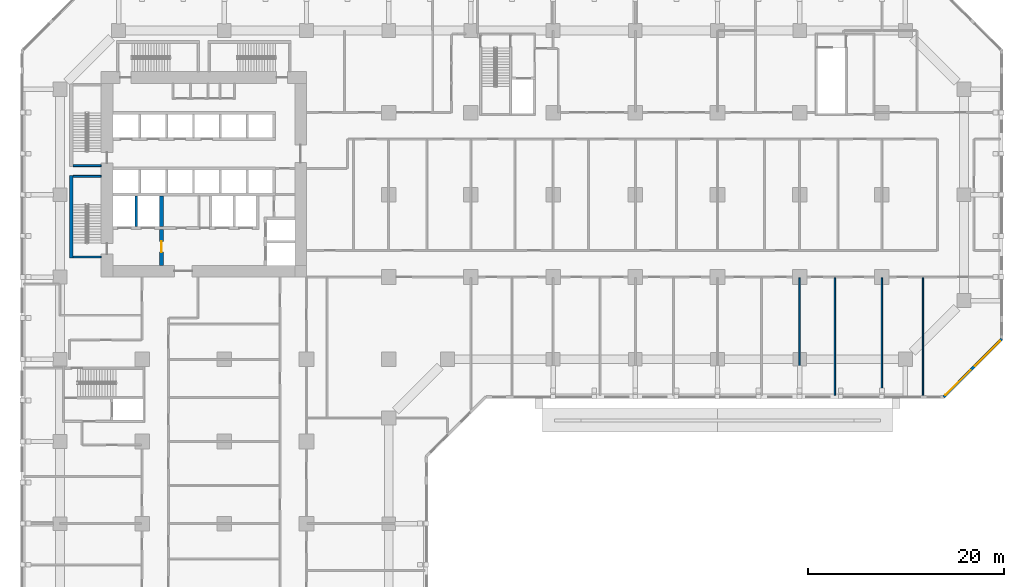
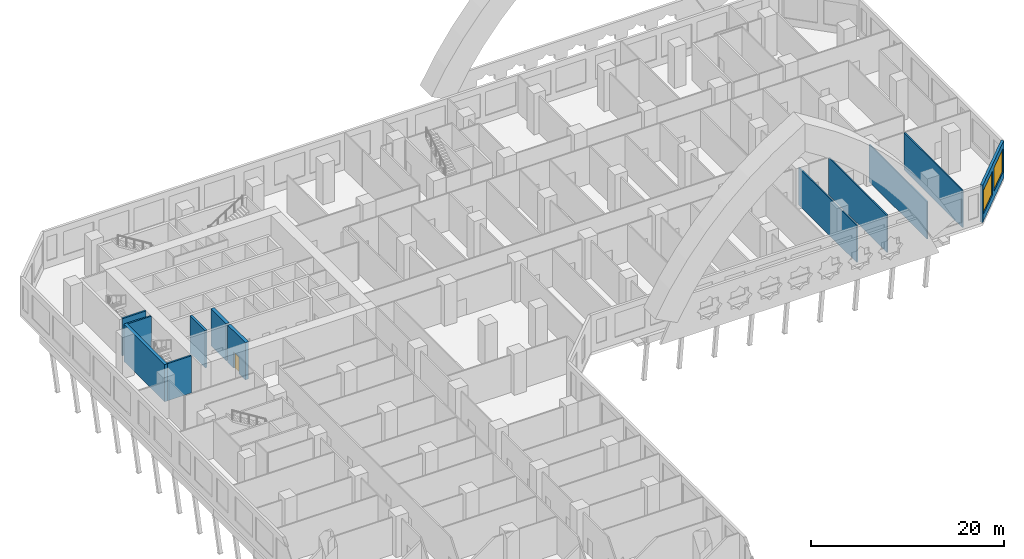
# One storey, part 10 of 25: 12 walls, 2 windows, 1 door, 3 openings.
"""IFC4 building model written with IfcOpenShell, lengths in metres."""

from ifc_helpers import new_model, si_unit, direction, frame, frame_2d, origin, place, context, subcontext, project, spatial, rectangle, extrude, material, layer, layer_set, type_object, element, fill, save


model = new_model("IFC4")

# Units and contexts
model_context = context("Model", 3, precision=1e-05, world=origin(), true_north=direction((0.0, 1.0)))
body_context = subcontext(model_context, "Body", "Model", "MODEL_VIEW")
ifc_project = project(units=[si_unit("LENGTHUNIT", "METRE"), si_unit("AREAUNIT", "SQUARE_METRE"), si_unit("VOLUMEUNIT", "CUBIC_METRE"), si_unit("PLANEANGLEUNIT", "RADIAN"), si_unit("MASSUNIT", "GRAM", prefix="KILO")], contexts=[model_context])

# Site, building, storey
site_placement = place(None, origin())
site = spatial("IfcSite", under=ifc_project, at=site_placement, CompositionType="ELEMENT")
building_placement = place(site_placement, origin())
building = spatial("IfcBuilding", under=site, at=building_placement, Name="Kawkab Arch Medical Tower", CompositionType="ELEMENT")
storey_placement = place(building_placement, frame((0.0, 0.0, 29.0)))
storey = spatial("IfcBuildingStorey", under=building, at=storey_placement, Name="L06", CompositionType="ELEMENT", Elevation=29.0)

# Wall
ifc_material_1 = material(Name="Concrete C60/75", Category="concrete")
ifc_layer_1 = layer(ifc_material_1, 0.25)
ifc_layer_set_1 = layer_set([ifc_layer_1], Name="Concrete C60/75")
wall_type_1 = type_object("IfcWallType", Name="Core shear wall 250 C60/75", PredefinedType="SHEAR", material=ifc_layer_set_1)
wall_1_placement = place(storey_placement, frame((7.800048828125, -20.050048828125, 0.0), z_axis=(0.0, 0.0, 1.0), x_axis=(0.0, 1.0, 0.0)))
element("IfcWall", 1, at=wall_1_placement, inside=storey, type_object=wall_type_1, Name="L06 core shear wall", PredefinedType="SHEAR", context=body_context, shape_type="SweptSolid", body=[
    extrude(rectangle(XDim=3.150146484375, YDim=0.25, at=frame_2d((1.5751953125, 0.0))), origin(), (0.0, 0.0, 1.0), 4.699951171875),
])

# Wall, opening, door
ifc_material_2 = material(Name="Concrete C60/75", Category="concrete")
ifc_layer_2 = layer(ifc_material_2, 0.39990234375)
ifc_layer_set_2 = layer_set([ifc_layer_2], Name="Concrete C60/75")
wall_type_2 = type_object("IfcWallType", Name="Core shear wall 400 C60/75", PredefinedType="SHEAR", material=ifc_layer_set_2)
wall_2_placement = place(storey_placement, frame((10.39990234375, -24.0, 0.0), z_axis=(0.0, 0.0, 1.0), x_axis=(0.0, 1.0, 0.0)))
wall_2 = element("IfcWall", 2, at=wall_2_placement, inside=storey, type_object=wall_type_2, Name="L06 core shear wall", PredefinedType="SHEAR", context=body_context, shape_type="SweptSolid", body=[
    extrude(rectangle(XDim=3.64990234375, YDim=0.39990234375, at=frame_2d((1.824951171875, 0.0))), origin(), (0.0, 0.0, 1.0), 4.699951171875),
])
opening_1_placement = place(wall_2_placement, frame((1.35009765625, 0.0, 0.0)))
opening_1 = element("IfcOpeningElement", 3, at=opening_1_placement, cuts=wall_2, Name="Opening FD", PredefinedType="OPENING", context=body_context, shape_type="SweptSolid", body=[
    extrude(rectangle(XDim=1.10009765625, YDim=2.10009765625, at=frame_2d((0.550048828125, 1.050048828125))), frame((0.0, 0.2099609375, 0.0), z_axis=(0.0, -1.0, 0.0), x_axis=(1.0, 0.0, 0.0)), (0.0, 0.0, 1.0), 0.419921875),
])
ifc_material_3 = material(Name="Hollow metal fire door leaf")
door_type = type_object("IfcDoorType", Name="Firefighting lobby door 1100", OperationType="SINGLE_SWING_LEFT", PredefinedType="DOOR", material=ifc_material_3)
door_placement = place(opening_1_placement, origin())
door = element("IfcDoor", 4, at=door_placement, inside=storey, type_object=door_type, Name="L06 Firefighting lobby door", OperationType="SINGLE_SWING_LEFT", OverallHeight=2.10009765625, OverallWidth=1.10009765625, PredefinedType="DOOR", context=body_context, shape_type="SweptSolid", body=[
    extrude(rectangle(XDim=1.10009765625, YDim=2.10009765625, at=frame_2d((0.550048828125, 1.050048828125))), frame((0.0, 0.02490234375, 0.0), z_axis=(0.0, -1.0, 0.0), x_axis=(1.0, 0.0, 0.0)), (0.0, 0.0, 1.0), 0.050048828125),
])
fill(opening_1, door)

# Walls
wall_3_placement = place(storey_placement, frame((10.39990234375, -20.050048828125, 0.0), z_axis=(0.0, 0.0, 1.0), x_axis=(0.0, 1.0, 0.0)))
element("IfcWall", 5, at=wall_3_placement, inside=storey, type_object=wall_type_2, Name="L06 core shear wall", PredefinedType="SHEAR", context=body_context, shape_type="SweptSolid", body=[
    extrude(rectangle(XDim=3.150146484375, YDim=0.39990234375, at=frame_2d((1.5751953125, 0.0))), origin(), (0.0, 0.0, 1.0), 4.699951171875),
])
ifc_material_4 = material(Name="Gypsum board partition on steel studs, mineral wool", Category="steel")
ifc_layer_3 = layer(ifc_material_4, 0.14990234375)
ifc_layer_set_3 = layer_set([ifc_layer_3], Name="Gypsum board partition on steel studs, mineral wool")
wall_type_3 = type_object("IfcWallType", Name="Partition 150", PredefinedType="PARTITIONING", material=ifc_layer_set_3)
for number, where, z_axis, x_axis, name in (
    (6, (75.60009765625, -37.280029296875, 0.0), (0.0, 0.0, 1.0), (0.0, 1.0, 0.0), "Partition 150 w108"),
    (7, (79.199951171875, -37.280029296875, 0.0), (0.0, 0.0, 1.0), (0.0, 1.0, 0.0), "Partition 150 w110"),
    (8, (84.0, -37.280029296875, 0.0), (0.0, 0.0, 1.0), (0.0, 1.0, 0.0), "Partition 150 w113"),
    (9, (88.199951171875, -37.280029296875, 0.0), (0.0, 0.0, 1.0), (0.0, 1.0, 0.0), "Partition 150 w117"),
):
    element("IfcWall", number, at=place(storey_placement, frame(where, z_axis=z_axis, x_axis=x_axis)), inside=storey, type_object=wall_type_3, Name=name, PredefinedType="PARTITIONING", context=body_context, shape_type="SweptSolid", body=[
        extrude(rectangle(XDim=12.005126953125, YDim=0.14990234375, at=frame_2d((6.00244140625, 0.0))), origin(), (0.0, 0.0, 1.0), 4.699951171875),
    ])

# Wall, openings, windows
ifc_material_5 = material(Name="Bronze clad insulated wall panel")
ifc_layer_4 = layer(ifc_material_5, 0.300048828125)
ifc_layer_set_4 = layer_set([ifc_layer_4], Name="Bronze clad insulated wall panel")
wall_type_4 = type_object("IfcWallType", Name="Podium external wall 300", PredefinedType="SOLIDWALL", material=ifc_layer_set_4)
wall_4_placement = place(storey_placement, frame((90.337890625, -37.449951171875, 0.0), z_axis=(0.0, 0.0, 1.0), x_axis=(0.707106781187, 0.707106781187, 0.0)))
wall_4 = element("IfcWall", 10, at=wall_4_placement, inside=storey, type_object=wall_type_4, Name="Podium external wall L06 R08", PredefinedType="SOLIDWALL", context=body_context, shape_type="SweptSolid", body=[
    extrude(rectangle(XDim=8.361083984375, YDim=0.300048828125, at=frame_2d((4.1806640625, 0.0))), origin(), (0.0, 0.0, 1.0), 4.699951171875),
])
opening_2_placement = place(wall_4_placement, frame((0.259033203125, 0.0, 0.89990234375)))
opening_2 = element("IfcOpeningElement", 11, at=opening_2_placement, cuts=wall_4, Name="Opening PBW360-30-S9", PredefinedType="OPENING", context=body_context, shape_type="SweptSolid", body=[
    extrude(rectangle(XDim=3.60009765625, YDim=3.0, at=frame_2d((1.800048828125, 1.5))), frame((0.0, 0.159912109375, 0.0), z_axis=(0.0, -1.0, 0.0), x_axis=(1.0, 0.0, 0.0)), (0.0, 0.0, 1.0), 0.320068359375),
])
opening_3_placement = place(wall_4_placement, frame((4.501708984375, 0.0, 0.89990234375)))
opening_3 = element("IfcOpeningElement", 12, at=opening_3_placement, cuts=wall_4, Name="Opening PBW360-30-S9", PredefinedType="OPENING", context=body_context, shape_type="SweptSolid", body=[
    extrude(rectangle(XDim=3.60009765625, YDim=3.0, at=frame_2d((1.800048828125, 1.5))), frame((0.0, 0.159912109375, 0.0), z_axis=(0.0, -1.0, 0.0), x_axis=(1.0, 0.0, 0.0)), (0.0, 0.0, 1.0), 0.320068359375),
])
ifc_material_6 = material(Name="Bronze anodised aluminium louvred window", Category="aluminium")
window_type = type_object("IfcWindowType", Name="Podium band window 3600 x 3000 sill 900", PartitioningType="DOUBLE_PANEL_VERTICAL", PredefinedType="WINDOW", material=ifc_material_6)
window_1_placement = place(opening_2_placement, origin())
window_1 = element("IfcWindow", 13, at=window_1_placement, inside=storey, type_object=window_type, Name="Band window L06 R08.1", OverallHeight=3.0, OverallWidth=3.60009765625, PartitioningType="SINGLE_PANEL", PredefinedType="WINDOW", context=body_context, shape_type="SweptSolid", body=[
    extrude(rectangle(XDim=3.60009765625, YDim=3.0, at=frame_2d((1.800048828125, 1.5))), frame((0.0, 0.030029296875, 0.0), z_axis=(0.0, -1.0, 0.0), x_axis=(1.0, 0.0, 0.0)), (0.0, 0.0, 1.0), 0.06005859375),
])
fill(opening_2, window_1)
window_2_placement = place(opening_3_placement, origin())
window_2 = element("IfcWindow", 14, at=window_2_placement, inside=storey, type_object=window_type, Name="Band window L06 R08.2", OverallHeight=3.0, OverallWidth=3.60009765625, PartitioningType="SINGLE_PANEL", PredefinedType="WINDOW", context=body_context, shape_type="SweptSolid", body=[
    extrude(rectangle(XDim=3.60009765625, YDim=3.0, at=frame_2d((1.800048828125, 1.5))), frame((0.0, 0.030029296875, 0.0), z_axis=(0.0, -1.0, 0.0), x_axis=(1.0, 0.0, 0.0)), (0.0, 0.0, 1.0), 0.06005859375),
])
fill(opening_3, window_2)

# Walls
ifc_material_7 = material(Name="Concrete C50/60", Category="concrete")
ifc_layer_5 = layer(ifc_material_7, 0.199951171875)
ifc_layer_set_5 = layer_set([ifc_layer_5], Name="Concrete C50/60")
wall_type_5 = type_object("IfcWallType", Name="Stair enclosure wall 200 C50/60", PredefinedType="SHEAR", material=ifc_layer_set_5)
for number, where, z_axis, x_axis, name in (
    (15, (1.35009765625, -13.800048828125, 0.0), (0.0, 0.0, 1.0), (1.0, 0.0, 0.0), "L06 stair enclosure wall"),
    (16, (1.35009765625, -14.89990234375, 0.0), (0.0, 0.0, 1.0), (1.0, 0.0, 0.0), "L06 stair enclosure wall"),
    (17, (1.35009765625, -23.14990234375, 0.0), (0.0, 0.0, 1.0), (1.0, 0.0, 0.0), "L06 stair enclosure wall"),
):
    element("IfcWall", number, at=place(storey_placement, frame(where, z_axis=z_axis, x_axis=x_axis)), inside=storey, type_object=wall_type_5, Name=name, PredefinedType="SHEAR", context=body_context, shape_type="SweptSolid", body=[
        extrude(rectangle(XDim=2.849853515625, YDim=0.199951171875, at=frame_2d((1.4248046875, 0.0))), origin(), (0.0, 0.0, 1.0), 4.699951171875),
    ])
ifc_material_8 = material(Name="Concrete C50/60", Category="concrete")
ifc_layer_6 = layer(ifc_material_8, 0.35009765625)
ifc_layer_set_6 = layer_set([ifc_layer_6], Name="Concrete C50/60")
wall_type_6 = type_object("IfcWallType", Name="Stair enclosure wall 350 C50/60", PredefinedType="SHEAR", material=ifc_layer_set_6)
wall_5_placement = place(storey_placement, frame((1.175048828125, -23.25, 0.0), z_axis=(0.0, 0.0, 1.0), x_axis=(0.0, 1.0, 0.0)))
element("IfcWall", 18, at=wall_5_placement, inside=storey, type_object=wall_type_6, Name="L06 stair enclosure wall", PredefinedType="SHEAR", context=body_context, shape_type="SweptSolid", body=[
    extrude(rectangle(XDim=8.449951171875, YDim=0.35009765625, at=frame_2d((4.22509765625, 0.0))), origin(), (0.0, 0.0, 1.0), 4.699951171875),
])

save(model, "model.ifc")
